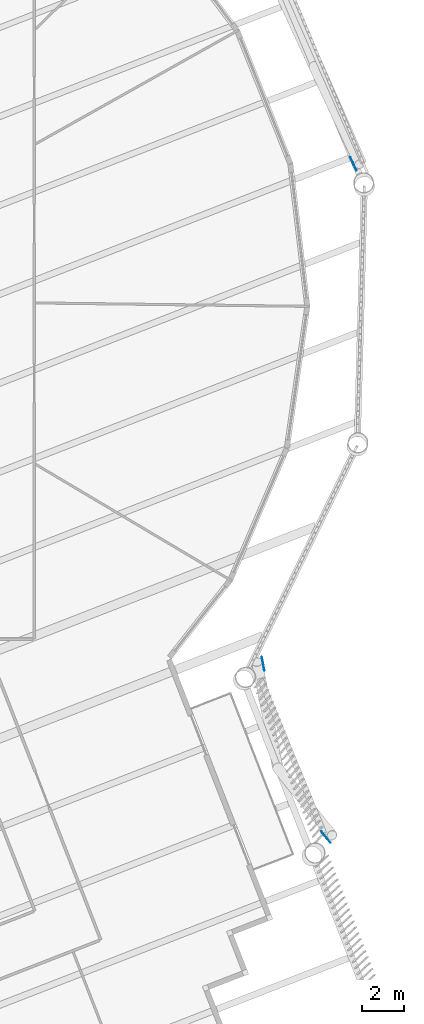
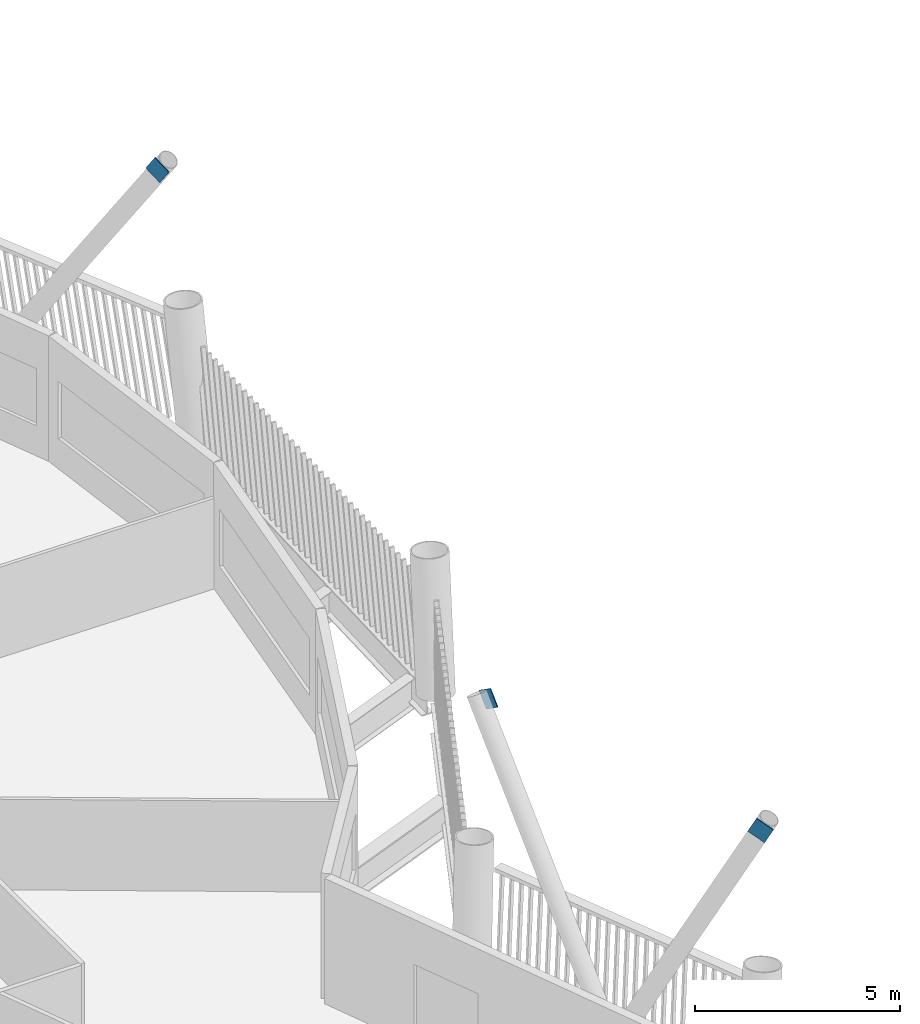
# One storey, part 11 of 20: 3 discrete accessories.
"""IFC4 building model written with IfcOpenShell, lengths in metres."""

from ifc_helpers import new_model, si_unit, direction, frame, origin, origin_2d, place, context, subcontext, project, spatial, rectangle, extrude, material, material_profile, profile_set, type_object, element, save


model = new_model("IFC4")

# Units and contexts
model_context = context("Model", 3, precision=1e-05, world=origin(), true_north=direction((0.0, 1.0)))
body_context = subcontext(model_context, "Body", "Model", "MODEL_VIEW")
ifc_project = project(units=[si_unit("LENGTHUNIT", "METRE"), si_unit("AREAUNIT", "SQUARE_METRE"), si_unit("VOLUMEUNIT", "CUBIC_METRE"), si_unit("PLANEANGLEUNIT", "RADIAN"), si_unit("MASSUNIT", "GRAM", prefix="KILO")], contexts=[model_context])

# Site, building, storey
site_placement = place(None, origin())
site = spatial("IfcSite", under=ifc_project, at=site_placement, CompositionType="ELEMENT")
building_placement = place(site_placement, origin())
building = spatial("IfcBuilding", under=site, at=building_placement, Name="Tarsis Ring Headquarters", CompositionType="ELEMENT")
storey_placement = place(building_placement, frame((0.0, 0.0, 315.800048828125)))
storey = spatial("IfcBuildingStorey", under=building, at=storey_placement, Name="L74", CompositionType="ELEMENT", Elevation=315.800048828125)

# Discrete accessories
ifc_material = material(Name="Structural steel S355", Category="steel")
ifc_material_profile = material_profile(ifc_material, rectangle(XDim=0.02490234375, YDim=0.5, at=origin_2d()), Name="PL 25x500")
ifc_profile_set = profile_set([ifc_material_profile], Name="Structural steel S355")
discrete_accessory_type = type_object("IfcDiscreteAccessoryType", Name="Gusset plate Exo brace 25", PredefinedType="BRACKET", material=ifc_profile_set)
for number, where, z_axis, x_axis, name in (
    (1, (23.75927734375, -17.027099609375, 7.800048828125), (0.10546350751, -0.535617906199, -0.837848976333), (0.981161118669, 0.193191250349, 0.0), "Gusset plate GP5"),
    (2, (26.819580078125, -25.41748046875, 7.800048828125), (-0.289528313205, 0.361788330666, -0.88616170062), (-0.780766002254, -0.624823534867, 0.0), "Gusset plate GP5"),
    (3, (28.09912109375, 6.260986328125, 7.800048828125), (-0.231451023931, 0.495129405624, -0.837423008526), (-0.905909060442, -0.423472282692, 0.0), "Gusset plate GP5"),
):
    element("IfcDiscreteAccessory", number, at=place(storey_placement, frame(where, z_axis=z_axis, x_axis=x_axis)), inside=storey, type_object=discrete_accessory_type, Name=name, PredefinedType="BRACKET", context=body_context, shape_type="SweptSolid", body=[
        extrude(rectangle(XDim=0.02490234375, YDim=0.5, at=origin_2d()), origin(), (0.0, 0.0, 1.0), 0.5),
    ])

save(model, "model.ifc")
